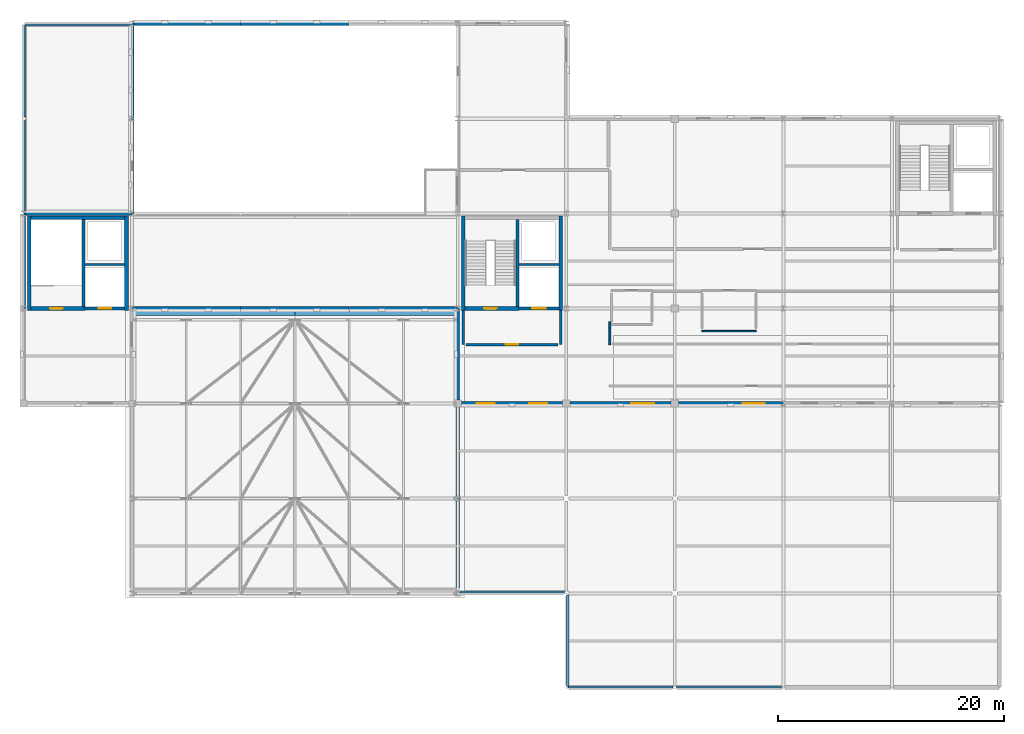
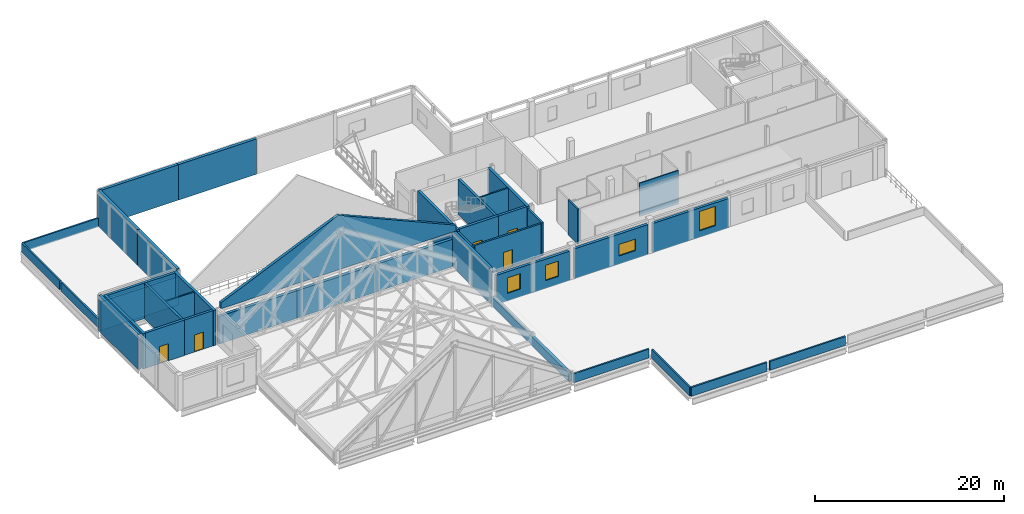
# One storey, part 22 of 26: 40 walls, 5 doors, 4 windows, 9 openings.
"""IFC4 building model written with IfcOpenShell, lengths in metres."""

from ifc_helpers import new_model, si_unit, direction, frame, frame_2d, origin, place, context, subcontext, project, spatial, polyline, rectangle, outline, extrude, material, layer, layer_set, type_object, element, fill, save


model = new_model("IFC4")

# Units and contexts
model_context = context("Model", 3, precision=1e-05, world=origin(), true_north=direction((0.0, 1.0)))
body_context = subcontext(model_context, "Body", "Model", "MODEL_VIEW")
ifc_project = project(units=[si_unit("LENGTHUNIT", "METRE"), si_unit("AREAUNIT", "SQUARE_METRE"), si_unit("VOLUMEUNIT", "CUBIC_METRE"), si_unit("PLANEANGLEUNIT", "RADIAN"), si_unit("MASSUNIT", "GRAM", prefix="KILO")], contexts=[model_context])

# Site, building, storey
site_placement = place(None, origin())
site = spatial("IfcSite", under=ifc_project, at=site_placement, CompositionType="ELEMENT")
building_placement = place(site_placement, origin())
building = spatial("IfcBuilding", under=site, at=building_placement, Name="Lornevale Opera House", CompositionType="ELEMENT")
storey_placement = place(building_placement, frame((0.0, 0.0, 19.800048828125)))
storey = spatial("IfcBuildingStorey", under=building, at=storey_placement, Name="L05", CompositionType="ELEMENT", Elevation=19.800048828125)

# Wall, opening, window
ifc_material_1 = material(Name="Queenston Buff Limestone Ashlar Masonry (25 MPa)", Category="masonry")
ifc_layer_1 = layer(ifc_material_1, 0.324951171875)
ifc_layer_set_1 = layer_set([ifc_layer_1], Name="Queenston Buff Limestone Ashlar Masonry (25 MPa)")
wall_type_1 = type_object("IfcWallType", Name="Backstage Limestone Facade Wall 325", PredefinedType="SOLIDWALL", material=ifc_layer_set_1)
wall_1_placement = place(storey_placement, frame((124.780029296875, 50.39990234375, 0.0), z_axis=(0.0, 0.0, 1.0), x_axis=(-1.0, 0.0, 0.0)))
wall_1 = element("IfcWall", 1, at=wall_1_placement, inside=storey, type_object=wall_type_1, Name="Backstage Limestone Facade Wall 325 WL-EXT-0285", PredefinedType="SOLIDWALL", context=body_context, shape_type="SweptSolid", body=[
    extrude(rectangle(XDim=9.255126953125, YDim=0.324951171875, at=frame_2d((4.62744140625, 0.0))), origin(), (0.0, 0.0, 1.0), 3.799072265625),
])
opening_1_placement = place(wall_1_placement, frame((1.615966796875, 0.0, 0.85009765625)))
opening_1 = element("IfcOpeningElement", 2, at=opening_1_placement, cuts=wall_1, Name="Opening WN-T20", PredefinedType="OPENING", context=body_context, shape_type="SweptSolid", body=[
    extrude(rectangle(XDim=1.949951171875, YDim=2.5, at=frame_2d((0.97509765625, 1.25))), frame((0.0, 0.17236328125, 0.0), z_axis=(0.0, -1.0, 0.0), x_axis=(1.0, 0.0, 0.0)), (0.0, 0.0, 1.0), 0.344970703125),
])
ifc_material_2 = material(Name="Triple Low-E Insulated Glazing", Category="glass")
ifc_layer_2 = layer(ifc_material_2, 0.06005859375)
ifc_layer_set_2 = layer_set([ifc_layer_2], Name="Triple Low-E Insulated Glazing")
window_type_1 = type_object("IfcWindowType", Name="Belvedere Corner Window 1950x2500", PartitioningType="NOTDEFINED", PredefinedType="WINDOW", material=ifc_layer_set_2)
window_1_placement = place(opening_1_placement, origin())
window_1 = element("IfcWindow", 3, at=window_1_placement, inside=storey, type_object=window_type_1, Name="Belvedere Corner Window 1950x2500 WN-0116", OverallHeight=2.5, OverallWidth=1.949951171875, PartitioningType="SINGLE_PANEL", PredefinedType="WINDOW", context=body_context, shape_type="SweptSolid", body=[
    extrude(rectangle(XDim=1.949951171875, YDim=2.5, at=frame_2d((0.97509765625, 1.25))), frame((0.0, 0.030029296875, 0.0), z_axis=(0.0, -1.0, 0.0), x_axis=(1.0, 0.0, 0.0)), (0.0, 0.0, 1.0), 0.06005859375),
])
fill(opening_1, window_1)

# Wall, opening, door
ifc_material_3 = material(Name="Concrete 40 MPa (CSA A23.1 C-1)", Category="concrete")
ifc_layer_3 = layer(ifc_material_3, 0.320068359375)
ifc_layer_set_3 = layer_set([ifc_layer_3], Name="Concrete 40 MPa (CSA A23.1 C-1)")
wall_type_2 = type_object("IfcWallType", Name="Core Shear Wall 320", PredefinedType="SHEAR", material=ifc_layer_set_3)
wall_2_placement = place(storey_placement, frame((58.260009765625, 58.800048828125, 0.0), z_axis=(0.0, 0.0, 1.0), x_axis=(1.0, 0.0, 0.0)))
wall_2 = element("IfcWall", 4, at=wall_2_placement, inside=storey, type_object=wall_type_2, Name="Auditorium West Tier Core Core Shear Wall 320 WL-COR-0190", PredefinedType="SHEAR", context=body_context, shape_type="SweptSolid", body=[
    extrude(rectangle(XDim=4.780029296875, YDim=0.320068359375, at=frame_2d((2.39013671875, 0.0))), origin(), (0.0, 0.0, 1.0), 4.579833984375),
])
opening_2_placement = place(wall_2_placement, frame((1.68994140625, 0.0, 0.0)))
opening_2 = element("IfcOpeningElement", 5, at=opening_2_placement, cuts=wall_2, Name="Opening DR-T10", PredefinedType="OPENING", context=body_context, shape_type="SweptSolid", body=[
    extrude(rectangle(XDim=1.10009765625, YDim=2.199951171875, at=frame_2d((0.550048828125, 1.10009765625))), frame((0.0, 0.169921875, 0.0), z_axis=(0.0, -1.0, 0.0), x_axis=(1.0, 0.0, 0.0)), (0.0, 0.0, 1.0), 0.340087890625),
])
ifc_material_4 = material(Name="Painted Hollow Metal Door Steel", Category="steel")
ifc_layer_4 = layer(ifc_material_4, 2.199951171875)
ifc_layer_set_4 = layer_set([ifc_layer_4], Name="Painted Hollow Metal Door Steel")
door_type_1 = type_object("IfcDoorType", Name="Protected Exit Stair Door L 1100x2200", OperationType="NOTDEFINED", PredefinedType="DOOR", material=ifc_layer_set_4)
door_1_placement = place(opening_2_placement, origin())
door_1 = element("IfcDoor", 6, at=door_1_placement, inside=storey, type_object=door_type_1, Name="C5 Stair Door L05", OperationType="SINGLE_SWING_LEFT", OverallHeight=2.199951171875, OverallWidth=1.10009765625, PredefinedType="DOOR", context=body_context, shape_type="SweptSolid", body=[
    extrude(rectangle(XDim=1.10009765625, YDim=2.199951171875, at=frame_2d((0.550048828125, 1.10009765625))), frame((0.0, 0.02490234375, 0.0), z_axis=(0.0, -1.0, 0.0), x_axis=(1.0, 0.0, 0.0)), (0.0, 0.0, 1.0), 0.050048828125),
])
fill(opening_2, door_1)

# Walls
wall_3_placement = place(storey_placement, frame((66.5400390625, 66.840087890625, 0.0), z_axis=(0.0, 0.0, 1.0), x_axis=(-1.0, 0.0, 0.0)))
element("IfcWall", 7, at=wall_3_placement, inside=storey, type_object=wall_type_2, Name="Auditorium West Tier Core Core Shear Wall 320 WL-COR-0192", PredefinedType="SHEAR", context=body_context, shape_type="SweptSolid", body=[
    extrude(rectangle(XDim=8.280029296875, YDim=0.320068359375, at=frame_2d((4.14013671875, 0.0))), origin(), (0.0, 0.0, 1.0), 4.579833984375),
])
for number, where, z_axis, x_axis, name in (
    (8, (58.10009765625, 67.0, 0.0), (0.0, 0.0, 1.0), (0.0, -1.0, 0.0), "Auditorium West Tier Core Core Shear Wall 320 WL-COR-0193"),
    (9, (66.699951171875, 58.639892578125, 0.0), (0.0, 0.0, 1.0), (0.0, 1.0, 0.0), "Auditorium West Tier Core Core Shear Wall 320 WL-COR-0194"),
):
    element("IfcWall", number, at=place(storey_placement, frame(where, z_axis=z_axis, x_axis=x_axis)), inside=storey, type_object=wall_type_2, Name=name, PredefinedType="SHEAR", context=body_context, shape_type="SweptSolid", body=[
        extrude(rectangle(XDim=8.360107421875, YDim=0.320068359375, at=frame_2d((4.18017578125, 0.0))), origin(), (0.0, 0.0, 1.0), 4.579833984375),
    ])

# Wall, opening, door
wall_4_placement = place(storey_placement, frame((96.659912109375, 58.800048828125, 0.0), z_axis=(0.0, 0.0, 1.0), x_axis=(1.0, 0.0, 0.0)))
wall_4 = element("IfcWall", 10, at=wall_4_placement, inside=storey, type_object=wall_type_2, Name="Stagehouse Firefighter Core West Core Shear Wall 320 WL-COR-0239", PredefinedType="SHEAR", context=body_context, shape_type="SweptSolid", body=[
    extrude(rectangle(XDim=4.780029296875, YDim=0.320068359375, at=frame_2d((2.39013671875, 0.0))), origin(), (0.0, 0.0, 1.0), 4.579833984375),
])
opening_3_placement = place(wall_4_placement, frame((1.68994140625, 0.0, 0.0)))
opening_3 = element("IfcOpeningElement", 11, at=opening_3_placement, cuts=wall_4, Name="Opening DR-T11", PredefinedType="OPENING", context=body_context, shape_type="SweptSolid", body=[
    extrude(rectangle(XDim=1.10009765625, YDim=2.199951171875, at=frame_2d((0.550048828125, 1.10009765625))), frame((0.0, 0.169921875, 0.0), z_axis=(0.0, -1.0, 0.0), x_axis=(1.0, 0.0, 0.0)), (0.0, 0.0, 1.0), 0.340087890625),
])
ifc_layer_5 = layer(ifc_material_4, 2.199951171875)
ifc_layer_set_5 = layer_set([ifc_layer_5], Name="Painted Hollow Metal Door Steel")
door_type_2 = type_object("IfcDoorType", Name="Protected Exit Stair Door R 1100x2200", OperationType="NOTDEFINED", PredefinedType="DOOR", material=ifc_layer_set_5)
door_2_placement = place(opening_3_placement, origin())
door_2 = element("IfcDoor", 12, at=door_2_placement, inside=storey, type_object=door_type_2, Name="C6 Stair Door L05", OperationType="SINGLE_SWING_RIGHT", OverallHeight=2.199951171875, OverallWidth=1.10009765625, PredefinedType="DOOR", context=body_context, shape_type="SweptSolid", body=[
    extrude(rectangle(XDim=1.10009765625, YDim=2.199951171875, at=frame_2d((0.550048828125, 1.10009765625))), frame((0.0, 0.02490234375, 0.0), z_axis=(0.0, -1.0, 0.0), x_axis=(1.0, 0.0, 0.0)), (0.0, 0.0, 1.0), 0.050048828125),
])
fill(opening_3, door_2)

# Walls
for number, where, z_axis, x_axis, name in (
    (13, (96.5, 67.0, 0.0), (0.0, 0.0, 1.0), (0.0, -1.0, 0.0), "Stagehouse Firefighter Core West Core Shear Wall 320 WL-COR-0242"),
    (14, (105.10009765625, 58.639892578125, 0.0), (0.0, 0.0, 1.0), (0.0, 1.0, 0.0), "Stagehouse Firefighter Core West Core Shear Wall 320 WL-COR-0243"),
):
    element("IfcWall", number, at=place(storey_placement, frame(where, z_axis=z_axis, x_axis=x_axis)), inside=storey, type_object=wall_type_2, Name=name, PredefinedType="SHEAR", context=body_context, shape_type="SweptSolid", body=[
        extrude(rectangle(XDim=8.360107421875, YDim=0.320068359375, at=frame_2d((4.18017578125, 0.0))), origin(), (0.0, 0.0, 1.0), 4.579833984375),
    ])
ifc_material_5 = material(Name="Acoustic Mineral-Core Gypsum Partition", Category="gypsum")
ifc_layer_6 = layer(ifc_material_5, 0.1650390625)
ifc_layer_set_6 = layer_set([ifc_layer_6], Name="Acoustic Mineral-Core Gypsum Partition")
wall_type_3 = type_object("IfcWallType", Name="Corridor Rated Partition 165", PredefinedType="PARTITIONING", material=ifc_layer_set_6)
wall_5_placement = place(storey_placement, frame((109.4599609375, 55.60009765625, 0.0), z_axis=(0.0, 0.0, 1.0), x_axis=(0.0, 1.0, 0.0)))
element("IfcWall", 15, at=wall_5_placement, inside=storey, type_object=wall_type_3, Name="L05 Partition WL-INT-0902", PredefinedType="PARTITIONING", context=body_context, shape_type="SweptSolid", body=[
    extrude(rectangle(XDim=2.0498046875, YDim=0.1650390625, at=frame_2d((1.02490234375, 0.0))), origin(), (0.0, 0.0, 1.0), 4.550048828125),
])

# Wall, opening, door
ifc_layer_7 = layer(ifc_material_3, 0.280029296875)
ifc_layer_set_7 = layer_set([ifc_layer_7], Name="Concrete 40 MPa (CSA A23.1 C-1)")
wall_type_4 = type_object("IfcWallType", Name="Elevator Shaft Wall 280", PredefinedType="SHEAR", material=ifc_layer_set_7)
wall_6_placement = place(storey_placement, frame((63.0400390625, 58.800048828125, 0.0), z_axis=(0.0, 0.0, 1.0), x_axis=(1.0, 0.0, 0.0)))
wall_6 = element("IfcWall", 16, at=wall_6_placement, inside=storey, type_object=wall_type_4, Name="Auditorium West Tier Core Elevator Shaft Wall 280 WL-COR-0191", PredefinedType="SHEAR", context=body_context, shape_type="SweptSolid", body=[
    extrude(rectangle(XDim=3.5, YDim=0.280029296875, at=frame_2d((1.75, 0.0))), origin(), (0.0, 0.0, 1.0), 4.579833984375),
])
opening_4_placement = place(wall_6_placement, frame((1.2099609375, 0.0, 0.0)))
opening_4 = element("IfcOpeningElement", 17, at=opening_4_placement, cuts=wall_6, Name="Opening DR-T25", PredefinedType="OPENING", context=body_context, shape_type="SweptSolid", body=[
    extrude(rectangle(XDim=1.10009765625, YDim=2.199951171875, at=frame_2d((0.550048828125, 1.10009765625))), frame((0.0, 0.14990234375, 0.0), z_axis=(0.0, -1.0, 0.0), x_axis=(1.0, 0.0, 0.0)), (0.0, 0.0, 1.0), 0.300048828125),
])
ifc_layer_8 = layer(ifc_material_4, 2.199951171875)
ifc_layer_set_8 = layer_set([ifc_layer_8], Name="Painted Hollow Metal Door Steel")
door_type_3 = type_object("IfcDoorType", Name="Passenger Lift Landing Door 1100x2200", OperationType="NOTDEFINED", PredefinedType="DOOR", material=ifc_layer_set_8)
door_3_placement = place(opening_4_placement, origin())
door_3 = element("IfcDoor", 18, at=door_3_placement, inside=storey, type_object=door_type_3, Name="L-P4 Landing Door L05", OperationType="SLIDING_TO_LEFT", OverallHeight=2.199951171875, OverallWidth=1.10009765625, PredefinedType="DOOR", context=body_context, shape_type="SweptSolid", body=[
    extrude(rectangle(XDim=1.10009765625, YDim=2.199951171875, at=frame_2d((0.550048828125, 1.10009765625))), frame((0.0, 0.02490234375, 0.0), z_axis=(0.0, -1.0, 0.0), x_axis=(1.0, 0.0, 0.0)), (0.0, 0.0, 1.0), 0.050048828125),
])
fill(opening_4, door_3)

# Wall
wall_7_placement = place(storey_placement, frame((62.89990234375, 58.9599609375, 0.0), z_axis=(0.0, 0.0, 1.0), x_axis=(0.0, 1.0, 0.0)))
element("IfcWall", 19, at=wall_7_placement, inside=storey, type_object=wall_type_4, Name="Auditorium West Tier Core Elevator Shaft Wall 280 WL-COR-0195", PredefinedType="SHEAR", context=body_context, shape_type="SweptSolid", body=[
    extrude(rectangle(XDim=7.719970703125, YDim=0.280029296875, at=frame_2d((3.85986328125, 0.0))), origin(), (0.0, 0.0, 1.0), 4.579833984375),
])

# Wall, opening, door
wall_8_placement = place(storey_placement, frame((101.43994140625, 58.800048828125, 0.0), z_axis=(0.0, 0.0, 1.0), x_axis=(1.0, 0.0, 0.0)))
wall_8 = element("IfcWall", 20, at=wall_8_placement, inside=storey, type_object=wall_type_4, Name="Stagehouse Firefighter Core West Elevator Shaft Wall 280 WL-COR-0240", PredefinedType="SHEAR", context=body_context, shape_type="SweptSolid", body=[
    extrude(rectangle(XDim=3.5, YDim=0.280029296875, at=frame_2d((1.75, 0.0))), origin(), (0.0, 0.0, 1.0), 4.579833984375),
])
opening_5_placement = place(wall_8_placement, frame((1.159912109375, 0.0, 0.0)))
opening_5 = element("IfcOpeningElement", 21, at=opening_5_placement, cuts=wall_8, Name="Opening DR-T26", PredefinedType="OPENING", context=body_context, shape_type="SweptSolid", body=[
    extrude(rectangle(XDim=1.199951171875, YDim=2.199951171875, at=frame_2d((0.60009765625, 1.10009765625))), frame((0.0, 0.14990234375, 0.0), z_axis=(0.0, -1.0, 0.0), x_axis=(1.0, 0.0, 0.0)), (0.0, 0.0, 1.0), 0.300048828125),
])
ifc_layer_9 = layer(ifc_material_4, 2.199951171875)
ifc_layer_set_9 = layer_set([ifc_layer_9], Name="Painted Hollow Metal Door Steel")
door_type_4 = type_object("IfcDoorType", Name="Firefighter Lift Landing Door 1200x2200", OperationType="NOTDEFINED", PredefinedType="DOOR", material=ifc_layer_set_9)
door_4_placement = place(opening_5_placement, origin())
door_4 = element("IfcDoor", 22, at=door_4_placement, inside=storey, type_object=door_type_4, Name="L-FF1 Landing Door L05", OperationType="SLIDING_TO_RIGHT", OverallHeight=2.199951171875, OverallWidth=1.199951171875, PredefinedType="DOOR", context=body_context, shape_type="SweptSolid", body=[
    extrude(rectangle(XDim=1.199951171875, YDim=2.199951171875, at=frame_2d((0.60009765625, 1.10009765625))), frame((0.0, 0.02490234375, 0.0), z_axis=(0.0, -1.0, 0.0), x_axis=(1.0, 0.0, 0.0)), (0.0, 0.0, 1.0), 0.050048828125),
])
fill(opening_5, door_4)

# Walls
wall_9_placement = place(storey_placement, frame((101.300048828125, 58.9599609375, 0.0), z_axis=(0.0, 0.0, 1.0), x_axis=(0.0, 1.0, 0.0)))
element("IfcWall", 23, at=wall_9_placement, inside=storey, type_object=wall_type_4, Name="Stagehouse Firefighter Core West Elevator Shaft Wall 280 WL-COR-0244", PredefinedType="SHEAR", context=body_context, shape_type="SweptSolid", body=[
    extrude(rectangle(XDim=7.719970703125, YDim=0.280029296875, at=frame_2d((3.85986328125, 0.0))), origin(), (0.0, 0.0, 1.0), 4.579833984375),
])
ifc_material_6 = material(Name="Concrete 35 MPa (CSA A23.1 N)", Category="concrete")
ifc_layer_10 = layer(ifc_material_6, 0.219970703125)
ifc_layer_set_10 = layer_set([ifc_layer_10], Name="Concrete 35 MPa (CSA A23.1 N)")
wall_type_5 = type_object("IfcWallType", Name="Firefighter Vestibule Wall 220", PredefinedType="SOLIDWALL", material=ifc_layer_set_10)
for number, where, z_axis, x_axis, name in (
    (24, (96.5, 55.60009765625, 0.0), (0.0, 0.0, 1.0), (0.0, 1.0, 0.0), "C6 Vestibule West Wall WL-INT-0412"),
    (25, (105.10009765625, 55.60009765625, 0.0), (0.0, 0.0, 1.0), (0.0, 1.0, 0.0), "C6 Vestibule East Wall WL-INT-0413"),
):
    element("IfcWall", number, at=place(storey_placement, frame(where, z_axis=z_axis, x_axis=x_axis)), inside=storey, type_object=wall_type_5, Name=name, PredefinedType="SOLIDWALL", context=body_context, shape_type="SweptSolid", body=[
        extrude(rectangle(XDim=3.039794921875, YDim=0.219970703125, at=frame_2d((1.52001953125, 0.0))), origin(), (0.0, 0.0, 1.0), 4.320068359375),
    ])

# Wall, opening, door
wall_10_placement = place(storey_placement, frame((96.75, 55.60009765625, 0.0), z_axis=(0.0, 0.0, 1.0), x_axis=(1.0, 0.0, 0.0)))
wall_10 = element("IfcWall", 26, at=wall_10_placement, inside=storey, type_object=wall_type_5, Name="C6 Vestibule South Wall WL-INT-0414", PredefinedType="SOLIDWALL", context=body_context, shape_type="SweptSolid", body=[
    extrude(rectangle(XDim=8.10009765625, YDim=0.219970703125, at=frame_2d((4.050048828125, 0.0))), origin(), (0.0, 0.0, 1.0), 4.320068359375),
])
opening_6_placement = place(wall_10_placement, frame((3.5, 0.0, 0.0)))
opening_6 = element("IfcOpeningElement", 27, at=opening_6_placement, cuts=wall_10, Name="Opening DR-T13", PredefinedType="OPENING", context=body_context, shape_type="SweptSolid", body=[
    extrude(rectangle(XDim=1.10009765625, YDim=2.199951171875, at=frame_2d((0.550048828125, 1.10009765625))), frame((0.0, 0.119873046875, 0.0), z_axis=(0.0, -1.0, 0.0), x_axis=(1.0, 0.0, 0.0)), (0.0, 0.0, 1.0), 0.239990234375),
])
ifc_layer_11 = layer(ifc_material_4, 2.199951171875)
ifc_layer_set_11 = layer_set([ifc_layer_11], Name="Painted Hollow Metal Door Steel")
door_type_5 = type_object("IfcDoorType", Name="Firefighter Vestibule Door 1100x2200", OperationType="NOTDEFINED", PredefinedType="DOOR", material=ifc_layer_set_11)
door_5_placement = place(opening_6_placement, origin())
door_5 = element("IfcDoor", 28, at=door_5_placement, inside=storey, type_object=door_type_5, Name="C6 Firefighter Vestibule Door L05", OperationType="SINGLE_SWING_LEFT", OverallHeight=2.199951171875, OverallWidth=1.10009765625, PredefinedType="DOOR", context=body_context, shape_type="SweptSolid", body=[
    extrude(rectangle(XDim=1.10009765625, YDim=2.199951171875, at=frame_2d((0.550048828125, 1.10009765625))), frame((0.0, 0.02490234375, 0.0), z_axis=(0.0, -1.0, 0.0), x_axis=(1.0, 0.0, 0.0)), (0.0, 0.0, 1.0), 0.050048828125),
])
fill(opening_6, door_5)

# Walls
ifc_material_7 = material(Name="Precast Concrete 40 MPa (CSA A23.1 C-1)", Category="concrete")
ifc_layer_12 = layer(ifc_material_7, 0.360107421875)
ifc_layer_set_12 = layer_set([ifc_layer_12], Name="Precast Concrete 40 MPa (CSA A23.1 C-1)")
wall_type_6 = type_object("IfcWallType", Name="Fly Tower Acoustic Precast Wall 360", PredefinedType="SOLIDWALL", material=ifc_layer_set_12)
wall_11_placement = place(storey_placement, frame((76.794921875, 58.800048828125, 0.0), z_axis=(0.0, 0.0, 1.0), x_axis=(-1.0, 0.0, 0.0)))
element("IfcWall", 29, at=wall_11_placement, inside=storey, type_object=wall_type_6, Name="Fly Tower Acoustic Precast Wall 360 WL-EXT-0271", PredefinedType="SOLIDWALL", context=body_context, shape_type="SweptSolid", body=[
    extrude(rectangle(XDim=9.574951171875, YDim=0.360107421875, at=frame_2d((4.78759765625, 0.0))), origin(), (0.0, 0.0, 1.0), 3.575927734375),
])
wall_12_placement = place(storey_placement, frame((67.199951171875, 67.219970703125, 0.0), z_axis=(0.0, 0.0, 1.0), x_axis=(0.0, 1.0, 0.0)))
element("IfcWall", 30, at=wall_12_placement, inside=storey, type_object=wall_type_6, Name="Fly Tower Acoustic Precast Wall 360 WL-EXT-0272", PredefinedType="SOLIDWALL", context=body_context, shape_type="SweptSolid", body=[
    extrude(rectangle(XDim=8.360107421875, YDim=0.360107421875, at=frame_2d((4.18017578125, 0.0))), origin(), (0.0, 0.0, 1.0), 4.579833984375),
])
wall_13_placement = place(storey_placement, frame((67.219970703125, 84.0, 0.0), z_axis=(0.0, 0.0, 1.0), x_axis=(1.0, 0.0, 0.0)))
element("IfcWall", 31, at=wall_13_placement, inside=storey, type_object=wall_type_6, Name="Fly Tower Acoustic Precast Wall 360 WL-EXT-0273", PredefinedType="SOLIDWALL", context=body_context, shape_type="SweptSolid", body=[
    extrude(rectangle(XDim=9.574951171875, YDim=0.360107421875, at=frame_2d((4.78759765625, 0.0))), origin(), (0.0, 0.0, 1.0), 4.579833984375),
])
wall_14_placement = place(storey_placement, frame((67.199951171875, 75.6201171875, 0.0), z_axis=(0.0, 0.0, 1.0), x_axis=(0.0, 1.0, 0.0)))
element("IfcWall", 32, at=wall_14_placement, inside=storey, type_object=wall_type_6, Name="Fly Tower Acoustic Precast Wall 360 WL-EXT-0274", PredefinedType="SOLIDWALL", context=body_context, shape_type="SweptSolid", body=[
    extrude(rectangle(XDim=8.35986328125, YDim=0.360107421875, at=frame_2d((4.179931640625, 0.0))), origin(), (0.0, 0.0, 1.0), 4.579833984375),
])
wall_15_placement = place(storey_placement, frame((86.39501953125, 58.800048828125, 0.0), z_axis=(0.0, 0.0, 1.0), x_axis=(-1.0, 0.0, 0.0)))
element("IfcWall", 33, at=wall_15_placement, inside=storey, type_object=wall_type_6, Name="Fly Tower Acoustic Precast Wall 360 WL-EXT-0275", PredefinedType="SOLIDWALL", context=body_context, shape_type="SweptSolid", body=[
    extrude(rectangle(XDim=9.590087890625, YDim=0.360107421875, at=frame_2d((4.794921875, 0.0))), origin(), (0.0, 0.0, 1.0), 3.575927734375),
])
wall_16_placement = place(storey_placement, frame((76.804931640625, 84.0, 0.0), z_axis=(0.0, 0.0, 1.0), x_axis=(1.0, 0.0, 0.0)))
element("IfcWall", 34, at=wall_16_placement, inside=storey, type_object=wall_type_6, Name="Fly Tower Acoustic Precast Wall 360 WL-EXT-0276", PredefinedType="SOLIDWALL", context=body_context, shape_type="SweptSolid", body=[
    extrude(rectangle(XDim=9.590087890625, YDim=0.360107421875, at=frame_2d((4.794921875, 0.0))), origin(), (0.0, 0.0, 1.0), 4.579833984375),
])
wall_17_placement = place(storey_placement, frame((95.97998046875, 58.800048828125, 0.0), z_axis=(0.0, 0.0, 1.0), x_axis=(-1.0, 0.0, 0.0)))
element("IfcWall", 35, at=wall_17_placement, inside=storey, type_object=wall_type_6, Name="Fly Tower Acoustic Precast Wall 360 WL-EXT-0277", PredefinedType="SOLIDWALL", context=body_context, shape_type="SweptSolid", body=[
    extrude(rectangle(XDim=9.574951171875, YDim=0.360107421875, at=frame_2d((4.78759765625, 0.0))), origin(), (0.0, 0.0, 1.0), 3.575927734375),
])
ifc_layer_13 = layer(ifc_material_7, 0.195068359375)
ifc_layer_set_13 = layer_set([ifc_layer_13], Name="Precast Concrete 40 MPa (CSA A23.1 C-1)")
wall_type_7 = type_object("IfcWallType", Name="Green Roof Parapet Wall 195", PredefinedType="PARAPET", material=ifc_layer_set_13)
wall_18_placement = place(storey_placement, frame((105.43994140625, 33.72998046875, 0.0), z_axis=(0.0, 0.0, 1.0), x_axis=(-1.0, 0.0, 0.0)))
element("IfcWall", 36, at=wall_18_placement, inside=storey, type_object=wall_type_7, Name="Green Roof Parapet Wall 195 0469", PredefinedType="PARAPET", context=body_context, shape_type="SweptSolid", body=[
    extrude(rectangle(XDim=9.280029296875, YDim=0.195068359375, at=frame_2d((4.64013671875, 0.0))), origin(), (0.0, 0.0, 1.0), 1.14990234375),
])
wall_19_placement = place(storey_placement, frame((124.639892578125, 25.330078125, 0.0), z_axis=(0.0, 0.0, 1.0), x_axis=(-1.0, 0.0, 0.0)))
element("IfcWall", 37, at=wall_19_placement, inside=storey, type_object=wall_type_7, Name="Green Roof Parapet Wall 195 0476", PredefinedType="PARAPET", context=body_context, shape_type="SweptSolid", body=[
    extrude(rectangle(XDim=9.27978515625, YDim=0.195068359375, at=frame_2d((4.639892578125, 0.0))), origin(), (0.0, 0.0, 1.0), 1.14990234375),
])
wall_20_placement = place(storey_placement, frame((115.0400390625, 25.330078125, 0.0), z_axis=(0.0, 0.0, 1.0), x_axis=(-1.0, 0.0, 0.0)))
element("IfcWall", 38, at=wall_20_placement, inside=storey, type_object=wall_type_7, Name="Green Roof Parapet Wall 195 0477", PredefinedType="PARAPET", context=body_context, shape_type="SweptSolid", body=[
    extrude(rectangle(XDim=9.280029296875, YDim=0.195068359375, at=frame_2d((4.64013671875, 0.0))), origin(), (0.0, 0.0, 1.0), 1.14990234375),
])
for number, where, z_axis, x_axis, name in (
    (39, (105.72998046875, 25.360107421875, 0.0), (0.0, 0.0, 1.0), (0.0, 1.0, 0.0), "Green Roof Parapet Wall 195 0478"),
    (40, (57.72998046875, 67.360107421875, 0.0), (0.0, 0.0, 1.0), (0.0, 1.0, 0.0), "Green Roof Parapet Wall 195 0479"),
):
    element("IfcWall", number, at=place(storey_placement, frame(where, z_axis=z_axis, x_axis=x_axis)), inside=storey, type_object=wall_type_7, Name=name, PredefinedType="PARAPET", context=body_context, shape_type="SweptSolid", body=[
        extrude(rectangle(XDim=8.079833984375, YDim=0.195068359375, at=frame_2d((4.0400390625, 0.0))), origin(), (0.0, 0.0, 1.0), 1.14990234375),
    ])
wall_21_placement = place(storey_placement, frame((57.72998046875, 75.760009765625, 0.0), z_axis=(0.0, 0.0, 1.0), x_axis=(0.0, 1.0, 0.0)))
element("IfcWall", 41, at=wall_21_placement, inside=storey, type_object=wall_type_7, Name="Green Roof Parapet Wall 195 0480", PredefinedType="PARAPET", context=body_context, shape_type="SweptSolid", body=[
    extrude(rectangle(XDim=8.080078125, YDim=0.195068359375, at=frame_2d((4.0400390625, 0.0))), origin(), (0.0, 0.0, 1.0), 1.14990234375),
])
wall_22_placement = place(storey_placement, frame((57.760009765625, 83.8701171875, 0.0), z_axis=(0.0, 0.0, 1.0), x_axis=(1.0, 0.0, 0.0)))
element("IfcWall", 42, at=wall_22_placement, inside=storey, type_object=wall_type_7, Name="Green Roof Parapet Wall 195 0481", PredefinedType="PARAPET", context=body_context, shape_type="SweptSolid", body=[
    extrude(rectangle(XDim=9.280029296875, YDim=0.195068359375, at=frame_2d((4.64013671875, 0.0))), origin(), (0.0, 0.0, 1.0), 1.14990234375),
])
ifc_material_8 = material(Name="Credit Valley Sandstone Ashlar Masonry (25 MPa)", Category="masonry")
ifc_layer_14 = layer(ifc_material_8, 0.340087890625)
ifc_layer_set_14 = layer_set([ifc_layer_14], Name="Credit Valley Sandstone Ashlar Masonry (25 MPa)")
wall_type_8 = type_object("IfcWallType", Name="Polychrome Drum Cavity Wall 340", PredefinedType="SOLIDWALL", material=ifc_layer_set_14)
wall_23_placement = place(storey_placement, frame((57.6201171875, 67.199951171875, 0.0), z_axis=(0.0, 0.0, 1.0), x_axis=(1.0, 0.0, 0.0)))
element("IfcWall", 43, at=wall_23_placement, inside=storey, type_object=wall_type_8, Name="Polychrome Drum Cavity Wall 340 WL-EXT-0269", PredefinedType="SOLIDWALL", context=body_context, shape_type="SweptSolid", body=[
    extrude(rectangle(XDim=9.559814453125, YDim=0.340087890625, at=frame_2d((4.77978515625, 0.0))), origin(), (0.0, 0.0, 1.0), 3.72900390625),
])
wall_24_placement = place(storey_placement, frame((57.60009765625, 58.820068359375, 0.0), z_axis=(0.0, 0.0, 1.0), x_axis=(0.0, 1.0, 0.0)))
element("IfcWall", 44, at=wall_24_placement, inside=storey, type_object=wall_type_8, Name="Polychrome Drum Cavity Wall 340 WL-EXT-0270", PredefinedType="SOLIDWALL", context=body_context, shape_type="SweptSolid", body=[
    extrude(rectangle(XDim=8.35986328125, YDim=0.340087890625, at=frame_2d((4.179931640625, 0.0))), origin(), (0.0, 0.0, 1.0), 4.579833984375),
])

# Wall, openings, windows
wall_25_placement = place(storey_placement, frame((105.27490234375, 50.39990234375, 0.0), z_axis=(0.0, 0.0, 1.0), x_axis=(-1.0, 0.0, 0.0)))
wall_25 = element("IfcWall", 45, at=wall_25_placement, inside=storey, type_object=wall_type_8, Name="Polychrome Drum Cavity Wall 340 WL-EXT-0279", PredefinedType="SOLIDWALL", context=body_context, shape_type="SweptSolid", body=[
    extrude(rectangle(XDim=8.949951171875, YDim=0.340087890625, at=frame_2d((4.47509765625, 0.0))), origin(), (0.0, 0.0, 1.0), 3.799072265625),
])
opening_7_placement = place(wall_25_placement, frame((1.347900390625, 0.0, 1.0)))
opening_7 = element("IfcOpeningElement", 46, at=opening_7_placement, cuts=wall_25, Name="Opening WN-T07", PredefinedType="OPENING", context=body_context, shape_type="SweptSolid", body=[
    extrude(rectangle(XDim=1.60009765625, YDim=2.0, at=frame_2d((0.800048828125, 1.0))), frame((0.0, 0.179931640625, 0.0), z_axis=(0.0, -1.0, 0.0), x_axis=(1.0, 0.0, 0.0)), (0.0, 0.0, 1.0), 0.360107421875),
])
opening_8_placement = place(wall_25_placement, frame((6.001953125, 0.0, 1.0)))
opening_8 = element("IfcOpeningElement", 47, at=opening_8_placement, cuts=wall_25, Name="Opening WN-T07", PredefinedType="OPENING", context=body_context, shape_type="SweptSolid", body=[
    extrude(rectangle(XDim=1.60009765625, YDim=2.0, at=frame_2d((0.800048828125, 1.0))), frame((0.0, 0.179931640625, 0.0), z_axis=(0.0, -1.0, 0.0), x_axis=(1.0, 0.0, 0.0)), (0.0, 0.0, 1.0), 0.360107421875),
])
ifc_layer_15 = layer(ifc_material_2, 0.06005859375)
ifc_layer_set_15 = layer_set([ifc_layer_15], Name="Triple Low-E Insulated Glazing")
window_type_2 = type_object("IfcWindowType", Name="Practice Studio Acoustic Window 1600x2000", PartitioningType="NOTDEFINED", PredefinedType="WINDOW", material=ifc_layer_set_15)
window_2_placement = place(opening_7_placement, origin())
window_2 = element("IfcWindow", 48, at=window_2_placement, inside=storey, type_object=window_type_2, Name="Practice Studio Acoustic Window 1600x2000 WN-0111", OverallHeight=2.0, OverallWidth=1.60009765625, PartitioningType="SINGLE_PANEL", PredefinedType="WINDOW", context=body_context, shape_type="SweptSolid", body=[
    extrude(rectangle(XDim=1.60009765625, YDim=2.0, at=frame_2d((0.800048828125, 1.0))), frame((0.0, 0.030029296875, 0.0), z_axis=(0.0, -1.0, 0.0), x_axis=(1.0, 0.0, 0.0)), (0.0, 0.0, 1.0), 0.06005859375),
])
fill(opening_7, window_2)
window_3_placement = place(opening_8_placement, origin())
window_3 = element("IfcWindow", 49, at=window_3_placement, inside=storey, type_object=window_type_2, Name="Practice Studio Acoustic Window 1600x2000 WN-0112", OverallHeight=2.0, OverallWidth=1.60009765625, PartitioningType="SINGLE_PANEL", PredefinedType="WINDOW", context=body_context, shape_type="SweptSolid", body=[
    extrude(rectangle(XDim=1.60009765625, YDim=2.0, at=frame_2d((0.800048828125, 1.0))), frame((0.0, 0.030029296875, 0.0), z_axis=(0.0, -1.0, 0.0), x_axis=(1.0, 0.0, 0.0)), (0.0, 0.0, 1.0), 0.06005859375),
])
fill(opening_8, window_3)

# Wall
wall_26_placement = place(storey_placement, frame((96.0, 50.72509765625, 0.0), z_axis=(0.0, 0.0, 1.0), x_axis=(0.0, 1.0, 0.0)))
element("IfcWall", 50, at=wall_26_placement, inside=storey, type_object=wall_type_8, Name="Polychrome Drum Cavity Wall 340 WL-EXT-0280", PredefinedType="SOLIDWALL", context=body_context, shape_type="SweptSolid", body=[
    extrude(rectangle(XDim=8.054931640625, YDim=0.340087890625, at=frame_2d((4.02734375, 0.0))), origin(), (0.0, 0.0, 1.0), 4.579833984375),
])

# Wall, opening, window
wall_27_placement = place(storey_placement, frame((114.875, 50.39990234375, 0.0), z_axis=(0.0, 0.0, 1.0), x_axis=(-1.0, 0.0, 0.0)))
wall_27 = element("IfcWall", 51, at=wall_27_placement, inside=storey, type_object=wall_type_8, Name="Polychrome Drum Cavity Wall 340 WL-EXT-0283", PredefinedType="SOLIDWALL", context=body_context, shape_type="SweptSolid", body=[
    extrude(rectangle(XDim=8.949951171875, YDim=0.340087890625, at=frame_2d((4.47509765625, 0.0))), origin(), (0.0, 0.0, 1.0), 3.876953125),
])
opening_9_placement = place(wall_27_placement, frame((1.506103515625, 0.0, 1.050048828125)))
opening_9 = element("IfcOpeningElement", 52, at=opening_9_placement, cuts=wall_27, Name="Opening WN-T11", PredefinedType="OPENING", context=body_context, shape_type="SweptSolid", body=[
    extrude(rectangle(XDim=2.0, YDim=1.5, at=frame_2d((1.0, 0.75))), frame((0.0, 0.179931640625, 0.0), z_axis=(0.0, -1.0, 0.0), x_axis=(1.0, 0.0, 0.0)), (0.0, 0.0, 1.0), 0.360107421875),
])
ifc_layer_16 = layer(ifc_material_2, 0.06005859375)
ifc_layer_set_16 = layer_set([ifc_layer_16], Name="Triple Low-E Insulated Glazing")
window_type_3 = type_object("IfcWindowType", Name="Workshop Operable Window 2000x1500", PartitioningType="NOTDEFINED", PredefinedType="WINDOW", material=ifc_layer_set_16)
window_4_placement = place(opening_9_placement, origin())
window_4 = element("IfcWindow", 53, at=window_4_placement, inside=storey, type_object=window_type_3, Name="Workshop Operable Window 2000x1500 WN-0115", OverallHeight=1.5, OverallWidth=2.0, PartitioningType="SINGLE_PANEL", PredefinedType="WINDOW", context=body_context, shape_type="SweptSolid", body=[
    extrude(rectangle(XDim=2.0, YDim=1.5, at=frame_2d((1.0, 0.75))), frame((0.0, 0.030029296875, 0.0), z_axis=(0.0, -1.0, 0.0), x_axis=(1.0, 0.0, 0.0)), (0.0, 0.0, 1.0), 0.06005859375),
])
fill(opening_9, window_4)

# Walls
wall_28_placement = place(storey_placement, frame((95.97998046875, 58.35009765625, 4.849853515625), z_axis=(0.0, 0.0, 1.0), x_axis=(-1.0, 0.0, 0.0)))
element("IfcWall", 54, at=wall_28_placement, inside=storey, type_object=wall_type_8, Name="Auditorium Attic Gable Wall WL-ATT-0382", PredefinedType="SOLIDWALL", context=body_context, shape_type="SweptSolid", body=[
    extrude(outline(polyline([(0.0, 0.0), (28.760009765625, 0.0), (28.760009765625, 0.75), (14.3798828125, 7.070068359375), (0.0, 0.75), (0.0, 0.0)])), frame((0.0, 0.169921875, 0.0), z_axis=(0.0, -1.0, 0.0), x_axis=(1.0, 0.0, 0.0)), (0.0, 0.0, 1.0), 0.340087890625),
])
wall_29_placement = place(storey_placement, frame((96.0, 34.070068359375, 0.0), z_axis=(0.0, 0.0, 1.0), x_axis=(0.0, 1.0, 0.0)))
element("IfcWall", 55, at=wall_29_placement, inside=storey, type_object=wall_type_8, Name="Auditorium Attic Gable Wall WL-ATT-0384", PredefinedType="SOLIDWALL", context=body_context, shape_type="SweptSolid", body=[
    extrude(rectangle(XDim=16.2900390625, YDim=0.340087890625, at=frame_2d((8.14501953125, 0.0))), origin(), (0.0, 0.0, 1.0), 1.14697265625),
])
ifc_material_9 = material(Name="Moisture-Resistant Ceramic & Gypsum Partition", Category="gypsum")
ifc_layer_17 = layer(ifc_material_9, 0.179931640625)
ifc_layer_set_17 = layer_set([ifc_layer_17], Name="Moisture-Resistant Ceramic & Gypsum Partition")
wall_type_9 = type_object("IfcWallType", Name="Riser Shaft Wall 180", PredefinedType="SOLIDWALL", material=ifc_layer_set_17)
for number, where, z_axis, x_axis, name in (
    (56, (63.0400390625, 62.699951171875, 0.0), (0.0, 0.0, 1.0), (1.0, 0.0, 0.0), "Auditorium West Tier Core Riser Shaft Wall 180 WL-COR-0196"),
    (57, (101.43994140625, 62.699951171875, 0.0), (0.0, 0.0, 1.0), (1.0, 0.0, 0.0), "Stagehouse Firefighter Core West Riser Shaft Wall 180 WL-COR-0245"),
):
    element("IfcWall", number, at=place(storey_placement, frame(where, z_axis=z_axis, x_axis=x_axis)), inside=storey, type_object=wall_type_9, Name=name, PredefinedType="SOLIDWALL", context=body_context, shape_type="SweptSolid", body=[
        extrude(rectangle(XDim=3.5, YDim=0.179931640625, at=frame_2d((1.75, 0.0))), origin(), (0.0, 0.0, 1.0), 4.579833984375),
    ])
ifc_layer_18 = layer(ifc_material_9, 0.139892578125)
ifc_layer_set_18 = layer_set([ifc_layer_18], Name="Moisture-Resistant Ceramic & Gypsum Partition")
wall_type_10 = type_object("IfcWallType", Name="Washroom Moisture Partition 140", PredefinedType="PARTITIONING", material=ifc_layer_set_18)
wall_30_placement = place(storey_placement, frame((117.60009765625, 56.800048828125, 0.0), z_axis=(0.0, 0.0, 1.0), x_axis=(1.0, 0.0, 0.0)))
element("IfcWall", 58, at=wall_30_placement, inside=storey, type_object=wall_type_10, Name="Administration Staff Washroom S Wall WL-INT-0512", PredefinedType="PARTITIONING", context=body_context, shape_type="SweptSolid", body=[
    extrude(rectangle(XDim=4.7998046875, YDim=0.139892578125, at=frame_2d((2.39990234375, 0.0))), origin(), (0.0, 0.0, 1.0), 4.320068359375),
])

save(model, "model.ifc")
